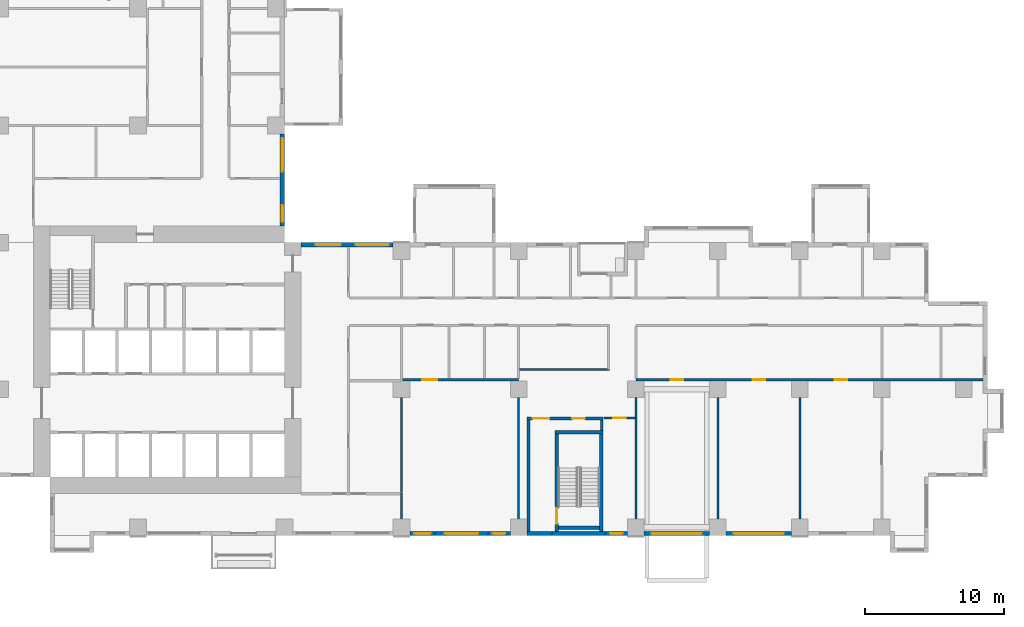
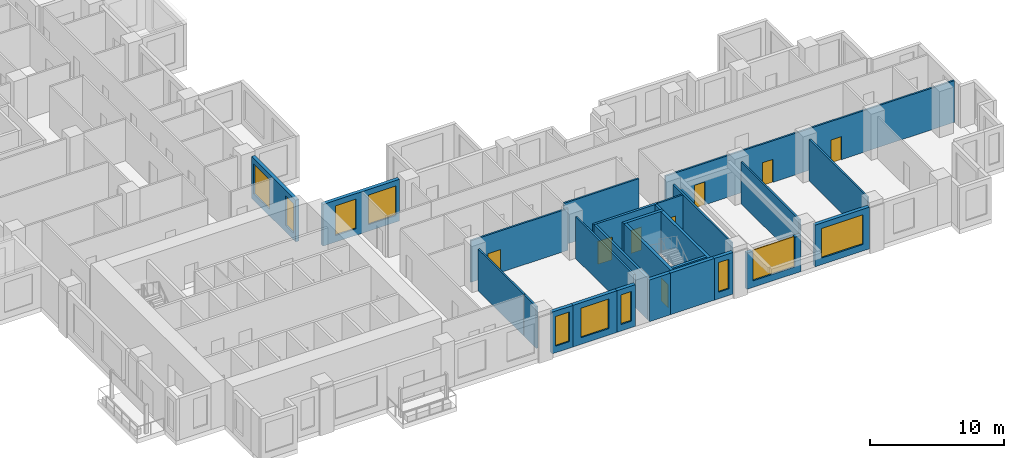
# One storey, part 4 of 14: 27 walls, 10 windows, 8 doors, 18 openings.
"""IFC4 building model written with IfcOpenShell, lengths in metres."""

import ifcopenshell
import ifcopenshell.guid

model = None  # the IFC model being written
_history = None  # IfcOwnerHistory: only IFC2X3 demands one
_inside = {}  # id of a spatial element -> (the spatial element, [elements in it])
_under = {}  # id of a project, library or spatial element -> (it, [spatial elements below it])
_declared = {}  # id of a project -> (the project, [libraries it declares])
_typed = {}  # id of a type object -> (the type object, [elements of that type])
_made_of = {}  # id of a material, layer set ... -> (it, [elements and type objects made of it])


def new_model(schema):
    """Start an empty IFC model of exactly this schema.

    Asked for "IFC4X3", IfcOpenShell would pick the latest addendum, in which some entities
    have other attributes; the version numbers below select the first issue.
    IFC2X3 requires an IfcOwnerHistory on every rooted entity: one is made here for all.
    """
    global model, _history
    if schema == "IFC4X3":
        model = ifcopenshell.file(schema_version=(4, 3, 0, 0))
    else:
        model = ifcopenshell.file(schema=schema)
    _inside.clear()
    _under.clear()
    _declared.clear()
    _typed.clear()
    _made_of.clear()
    _history = None
    if model.schema == "IFC2X3":
        org = make("IfcOrganization", Name="unknown")
        user = make(
            "IfcPersonAndOrganization",
            ThePerson=make("IfcPerson", FamilyName="unknown"),
            TheOrganization=org,
        )
        app = make(
            "IfcApplication",
            ApplicationDeveloper=org,
            Version="unknown",
            ApplicationFullName="unknown",
            ApplicationIdentifier="unknown",
        )
        _history = make(
            "IfcOwnerHistory",
            OwningUser=user,
            OwningApplication=app,
            ChangeAction="ADDED",
            CreationDate=0,
        )
    return model


def make(cls, **values):
    """One entity of the class cls with the attributes given. An attribute that is None is left unset."""
    return model.create_entity(
        cls, **{name: value for name, value in values.items() if value is not None}
    )


def rooted(cls, **values):
    """An entity with a GlobalId (a new one), such as an element, a storey or a relation."""
    return make(cls, GlobalId=ifcopenshell.guid.new(), OwnerHistory=_history, **values)


def si_unit(unit_type, name, prefix=None):
    """IfcSIUnit, for example si_unit("LENGTHUNIT", "METRE", prefix="MILLI")."""
    return make("IfcSIUnit", UnitType=unit_type, Prefix=prefix, Name=name)


def assignment(units):
    """IfcUnitAssignment: the units of a project."""
    return None if units is None else make("IfcUnitAssignment", Units=units)


def point(xyz):
    """IfcCartesianPoint."""
    return None if xyz is None else make("IfcCartesianPoint", Coordinates=xyz)


def direction(xyz):
    """IfcDirection."""
    return None if xyz is None else make("IfcDirection", DirectionRatios=xyz)


def frame(location, z_axis=None, x_axis=None):
    """IfcAxis2Placement3D, a coordinate frame: its origin and axes. An axis left out is left unset."""
    return make(
        "IfcAxis2Placement3D",
        Location=point(location),
        Axis=direction(z_axis),
        RefDirection=direction(x_axis),
    )


def frame_2d(location, x_axis=None):
    """IfcAxis2Placement2D, a coordinate frame in the plane: its origin and x axis."""
    return make(
        "IfcAxis2Placement2D", Location=point(location), RefDirection=direction(x_axis)
    )


def origin():
    """The frame at (0, 0, 0) with its axes left unset."""
    return frame((0.0, 0.0, 0.0))


def place(relative_to, where):
    """IfcLocalPlacement: puts the frame where relative to a parent placement (None: the world)."""
    return make(
        "IfcLocalPlacement", PlacementRelTo=relative_to, RelativePlacement=where
    )


def context(
    kind, dimensions, precision=None, world=None, true_north=None, identifier=None
):
    """IfcGeometricRepresentationContext, for example the 3D "Model" context."""
    return make(
        "IfcGeometricRepresentationContext",
        ContextIdentifier=identifier,
        ContextType=kind,
        CoordinateSpaceDimension=dimensions,
        Precision=precision,
        WorldCoordinateSystem=world,
        TrueNorth=true_north,
    )


def subcontext(parent, identifier, kind, view, scale=None):
    """IfcGeometricRepresentationSubContext, for example "Body" below "Model"."""
    return make(
        "IfcGeometricRepresentationSubContext",
        ContextIdentifier=identifier,
        ContextType=kind,
        ParentContext=parent,
        TargetScale=scale,
        TargetView=view,
    )


def project(units=None, contexts=None):
    """IfcProject with its units and contexts."""
    return rooted(
        "IfcProject",
        Name="project",
        RepresentationContexts=contexts,
        UnitsInContext=assignment(units),
    )


def spatial(cls, under=None, at=None, **own):
    """A site, building, storey or space (cls), placed at a placement, below another one or the project."""
    s = rooted(cls, ObjectPlacement=at, **own)
    if under is not None:
        _under.setdefault(under.id(), (under, []))[1].append(s)
    return s


def profile(cls, at=None, kind="AREA", **sizes):
    """A parametric profile (cls). Its sizes go by their IFC names, for example OverallWidth=200.0."""
    return make(cls, ProfileType=kind, Position=at, **sizes)


def rectangle(**sizes):
    """IfcRectangleProfileDef."""
    return profile("IfcRectangleProfileDef", **sizes)


def extrude(swept, where, along, depth):
    """IfcExtrudedAreaSolid: the profile swept, set in the frame where, extruded along a direction by depth."""
    return make(
        "IfcExtrudedAreaSolid",
        SweptArea=swept,
        Position=where,
        ExtrudedDirection=direction(along),
        Depth=depth,
    )


def shape(context_of_items, identifier, shape_type, items):
    """IfcShapeRepresentation: the items that make up one representation, for example the "Body"."""
    return make(
        "IfcShapeRepresentation",
        ContextOfItems=context_of_items,
        RepresentationIdentifier=identifier,
        RepresentationType=shape_type,
        Items=items,
    )


def source(mapping_origin, context_of_items, identifier, shape_type, items):
    """IfcRepresentationMap: a shape defined once, which mapped items show again and again."""
    return make(
        "IfcRepresentationMap",
        MappingOrigin=mapping_origin,
        MappedRepresentation=shape(context_of_items, identifier, shape_type, items),
    )


def transform(
    local_origin,
    x_axis=None,
    y_axis=None,
    z_axis=None,
    scale=None,
    scale2=None,
    scale3=None,
    uniform=True,
):
    """IfcCartesianTransformationOperator3D, or its non-uniform kind. x_axis, y_axis, z_axis: its Axis1, 2, 3."""
    if uniform:
        return make(
            "IfcCartesianTransformationOperator3D",
            Axis1=direction(x_axis),
            Axis2=direction(y_axis),
            LocalOrigin=point(local_origin),
            Scale=scale,
            Axis3=direction(z_axis),
        )
    return make(
        "IfcCartesianTransformationOperator3DnonUniform",
        Axis1=direction(x_axis),
        Axis2=direction(y_axis),
        LocalOrigin=point(local_origin),
        Scale=scale,
        Axis3=direction(z_axis),
        Scale2=scale2,
        Scale3=scale3,
    )


def mapped(mapping_source, mapping_target):
    """IfcMappedItem: shows the shape of a source again, moved by a transform."""
    return make(
        "IfcMappedItem", MappingSource=mapping_source, MappingTarget=mapping_target
    )


def material(Name=None, Category=None):
    """IfcMaterial."""
    return make("IfcMaterial", Name=Name, Category=Category)


def layer(
    of_material, thickness, ventilated=None, Name=None, Category=None, Priority=None
):
    """IfcMaterialLayer: one layer of a wall or slab, of a material (None: an air gap)."""
    return make(
        "IfcMaterialLayer",
        Material=of_material,
        LayerThickness=thickness,
        IsVentilated=ventilated,
        Name=Name,
        Category=Category,
        Priority=Priority,
    )


def layer_set(layers, Name=None):
    """IfcMaterialLayerSet."""
    return make("IfcMaterialLayerSet", MaterialLayers=layers, LayerSetName=Name)


def made_of(thing, what):
    """Note that an element or type object is made of a material, layer set ...; save() writes the relation."""
    if what is not None:
        _made_of.setdefault(what.id(), (what, []))[1].append(thing)
    return thing


def type_object(cls, material=None, **own):
    """A type object (cls), such as IfcWallType, which elements share."""
    return made_of(rooted(cls, **own), material)


def element(
    cls,
    number,
    at=None,
    inside=None,
    cuts=None,
    type_object=None,
    material=None,
    context=None,
    identifier="Body",
    shape_type=None,
    held_by="IfcProductDefinitionShape",
    body=None,
    shapes=None,
    **own,
):
    """One element of the class cls, such as IfcWall. Its Tag is "e" and its number.

    at: its placement. inside: the storey or other place that contains it. cuts: it is an
    opening in that element (IfcRelVoidsElement). A single representation is given by context,
    identifier, shape_type and body (its items); several are given by shapes. held_by: the class
    of the entity that holds the representations. save() writes the other relations.
    """
    e = rooted(cls, Tag="e%d" % number, ObjectPlacement=at, **own)
    if body is not None:
        shapes = [shape(context, identifier, shape_type, body)]
    if shapes is not None:
        e.Representation = make(held_by, Representations=shapes)
    if inside is not None:
        _inside.setdefault(inside.id(), (inside, []))[1].append(e)
    if cuts is not None:
        rooted(
            "IfcRelVoidsElement", RelatingBuildingElement=cuts, RelatedOpeningElement=e
        )
    if type_object is not None:
        _typed.setdefault(type_object.id(), (type_object, []))[1].append(e)
    return made_of(e, material)


def fill(opening, filler):
    """IfcRelFillsElement: the door or window that sits in an opening."""
    return rooted(
        "IfcRelFillsElement",
        RelatingOpeningElement=opening,
        RelatedBuildingElement=filler,
    )


def aggregate(whole, parts):
    """IfcRelAggregates: a whole, such as a stair, and the parts it consists of."""
    return rooted("IfcRelAggregates", RelatingObject=whole, RelatedObjects=parts)


def save(model, path):
    """Write the relations noted so far, then the file.

    IfcRelAggregates (storeys below a building ...), IfcRelContainedInSpatialStructure (elements
    in a storey), IfcRelDefinesByType, IfcRelAssociatesMaterial and IfcRelDeclares: one each for
    every whole, place, type object, material and project.
    """
    for whole, parts in _under.values():
        aggregate(whole, parts)
    for where, things in _inside.values():
        rooted(
            "IfcRelContainedInSpatialStructure",
            RelatedElements=things,
            RelatingStructure=where,
        )
    for kind, things in _typed.values():
        rooted("IfcRelDefinesByType", RelatedObjects=things, RelatingType=kind)
    for what, things in _made_of.values():
        rooted("IfcRelAssociatesMaterial", RelatedObjects=things, RelatingMaterial=what)
    for by, libraries in _declared.values():
        rooted("IfcRelDeclares", RelatingContext=by, RelatedDefinitions=libraries)
    model.write(path)


model = new_model("IFC4")

# Units and contexts
model_context = context("Model", 3, precision=1e-05, world=origin(), true_north=direction((0.0, 1.0)))
body_context = subcontext(model_context, "Body", "Model", "MODEL_VIEW")
ifc_project = project(units=[si_unit("LENGTHUNIT", "METRE"), si_unit("AREAUNIT", "SQUARE_METRE"), si_unit("VOLUMEUNIT", "CUBIC_METRE"), si_unit("PLANEANGLEUNIT", "RADIAN"), si_unit("MASSUNIT", "GRAM", prefix="KILO")], contexts=[model_context])

# Site, building, storey
site_placement = place(None, origin())
site = spatial("IfcSite", under=ifc_project, at=site_placement, CompositionType="ELEMENT")
building_placement = place(site_placement, origin())
building = spatial("IfcBuilding", under=site, at=building_placement, Name="Aurelian Terraces", CompositionType="ELEMENT")
storey_placement = place(building_placement, frame((0.0, 0.0, 90.9)))
storey = spatial("IfcBuildingStorey", under=building, at=storey_placement, Name="L19", CompositionType="ELEMENT", Elevation=90.9)

# Wall, opening, window
ifc_material_1 = material(Name="Terracotta rainscreen cladding", Category="masonry")
ifc_layer_1 = layer(ifc_material_1, 0.3)
ifc_layer_set_1 = layer_set([ifc_layer_1], Name="EW-300")
wall_type_1 = type_object("IfcWallType", Name="EW-300", PredefinedType="STANDARD", material=ifc_layer_set_1)
shared_shape_1 = source(origin(), body_context, "Body", "SweptSolid", [
    extrude(rectangle(XDim=4.68, YDim=0.3, at=frame_2d((2.34, 0.0))), origin(), (0.0, 0.0, 1.0), 3.8),
])
wall_1_placement = place(storey_placement, frame((52.68, 0.15, 0.0), z_axis=(0.0, 0.0, 1.0), x_axis=(1.0, 0.0, 0.0)))
wall_1 = element("IfcWall", 1, at=wall_1_placement, inside=storey, type_object=wall_type_1, Name="External wall L19 F01.9", PredefinedType="STANDARD", context=body_context, shape_type="MappedRepresentation", body=[
    mapped(shared_shape_1, transform((0.0, 0.0, 0.0), scale=1.0)),
])
shared_shape_2 = source(origin(), body_context, "Body", "SweptSolid", [
    extrude(rectangle(XDim=3.6, YDim=2.7, at=frame_2d((1.8, 1.35))), frame((0.0, 0.16, 0.0), z_axis=(0.0, -1.0, 0.0), x_axis=(1.0, 0.0, 0.0)), (0.0, 0.0, 1.0), 0.32),
])
opening_1_placement = place(wall_1_placement, frame((0.54, 0.0, 0.6)))
opening_1 = element("IfcOpeningElement", 2, at=opening_1_placement, cuts=wall_1, Name="Opening W3627", PredefinedType="OPENING", context=body_context, shape_type="MappedRepresentation", body=[
    mapped(shared_shape_2, transform((0.0, 0.0, 0.0), scale=1.0)),
])
ifc_material_2 = material(Name="Clear glazing", Category="glass")
window_type_1 = type_object("IfcWindowType", Name="W-3600x2700", PartitioningType="SINGLE_PANEL", PredefinedType="WINDOW", material=ifc_material_2)
shared_shape_3 = source(origin(), body_context, "Body", "SweptSolid", [
    extrude(rectangle(XDim=3.6, YDim=2.7, at=frame_2d((1.8, 1.35))), frame((0.0, 0.03, 0.0), z_axis=(0.0, -1.0, 0.0), x_axis=(1.0, 0.0, 0.0)), (0.0, 0.0, 1.0), 0.06),
])
window_1_placement = place(opening_1_placement, origin())
window_1 = element("IfcWindow", 3, at=window_1_placement, inside=storey, type_object=window_type_1, Name="Window L19 L19-F01-09-0", OverallHeight=2.7, OverallWidth=3.6, PartitioningType="SINGLE_PANEL", PredefinedType="WINDOW", context=body_context, shape_type="MappedRepresentation", body=[
    mapped(shared_shape_3, transform((0.0, 0.0, 0.0), scale=1.0)),
])
fill(opening_1, window_1)

shared_shape_4 = source(origin(), body_context, "Body", "SweptSolid", [
    extrude(rectangle(XDim=4.68, YDim=0.3, at=frame_2d((2.34, 0.0))), origin(), (0.0, 0.0, 1.0), 3.3),
])
wall_2_placement = place(storey_placement, frame((46.8, 0.15, 0.0), z_axis=(0.0, 0.0, 1.0), x_axis=(1.0, 0.0, 0.0)))
wall_2 = element("IfcWall", 4, at=wall_2_placement, inside=storey, type_object=wall_type_1, Name="External wall L19 F01.8", PredefinedType="STANDARD", context=body_context, shape_type="MappedRepresentation", body=[
    mapped(shared_shape_4, transform((0.0, 0.0, 0.0), scale=1.0)),
])
opening_2_placement = place(wall_2_placement, frame((0.54, 0.0, 0.6)))
opening_2 = element("IfcOpeningElement", 5, at=opening_2_placement, cuts=wall_2, Name="Opening W3627", PredefinedType="OPENING", context=body_context, shape_type="MappedRepresentation", body=[
    mapped(shared_shape_2, transform((0.0, 0.0, 0.0), scale=1.0)),
])
window_2_placement = place(opening_2_placement, origin())
window_2 = element("IfcWindow", 6, at=window_2_placement, inside=storey, type_object=window_type_1, Name="Window L19 L19-F01-08-0", OverallHeight=2.7, OverallWidth=3.6, PartitioningType="SINGLE_PANEL", PredefinedType="WINDOW", context=body_context, shape_type="MappedRepresentation", body=[
    mapped(shared_shape_3, transform((0.0, 0.0, 0.0), scale=1.0)),
])
fill(opening_2, window_2)

shared_shape_5 = source(origin(), body_context, "Body", "SweptSolid", [
    extrude(rectangle(XDim=1.6, YDim=0.3, at=frame_2d((0.8, 0.0))), origin(), (0.0, 0.0, 1.0), 3.8),
])
wall_3_placement = place(storey_placement, frame((35.6, 0.15, 0.0), z_axis=(0.0, 0.0, 1.0), x_axis=(1.0, 0.0, 0.0)))
wall_3 = element("IfcWall", 7, at=wall_3_placement, inside=storey, type_object=wall_type_1, Name="External wall L19 F01.6", PredefinedType="STANDARD", context=body_context, shape_type="MappedRepresentation", body=[
    mapped(shared_shape_5, transform((0.0, 0.0, 0.0), scale=1.0)),
])
shared_shape_6 = source(origin(), body_context, "Body", "SweptSolid", [
    extrude(rectangle(XDim=0.9, YDim=2.7, at=frame_2d((0.45, 1.35))), frame((0.0, 0.16, 0.0), z_axis=(0.0, -1.0, 0.0), x_axis=(1.0, 0.0, 0.0)), (0.0, 0.0, 1.0), 0.32),
])
opening_3_placement = place(wall_3_placement, frame((0.35, 0.0, 0.6)))
opening_3 = element("IfcOpeningElement", 8, at=opening_3_placement, cuts=wall_3, Name="Opening W0927", PredefinedType="OPENING", context=body_context, shape_type="MappedRepresentation", body=[
    mapped(shared_shape_6, transform((0.0, 0.0, 0.0), scale=1.0)),
])
window_type_2 = type_object("IfcWindowType", Name="W-900x2700", PartitioningType="SINGLE_PANEL", PredefinedType="WINDOW", material=ifc_material_2)
shared_shape_7 = source(origin(), body_context, "Body", "SweptSolid", [
    extrude(rectangle(XDim=0.9, YDim=2.7, at=frame_2d((0.45, 1.35))), frame((0.0, 0.03, 0.0), z_axis=(0.0, -1.0, 0.0), x_axis=(1.0, 0.0, 0.0)), (0.0, 0.0, 1.0), 0.06),
])
window_3_placement = place(opening_3_placement, origin())
window_3 = element("IfcWindow", 9, at=window_3_placement, inside=storey, type_object=window_type_2, Name="Window L19 L19-F01-06-P2", OverallHeight=2.7, OverallWidth=0.9, PartitioningType="SINGLE_PANEL", PredefinedType="WINDOW", context=body_context, shape_type="MappedRepresentation", body=[
    mapped(shared_shape_7, transform((0.0, 0.0, 0.0), scale=1.0)),
])
fill(opening_3, window_3)

wall_4_placement = place(storey_placement, frame((44.0, 0.15, 0.0), z_axis=(0.0, 0.0, 1.0), x_axis=(1.0, 0.0, 0.0)))
wall_4 = element("IfcWall", 10, at=wall_4_placement, inside=storey, type_object=wall_type_1, Name="External wall L19 F01.7", PredefinedType="STANDARD", context=body_context, shape_type="MappedRepresentation", body=[
    mapped(shared_shape_5, transform((0.0, 0.0, 0.0), scale=1.0)),
])
opening_4_placement = place(wall_4_placement, frame((0.35, 0.0, 0.6)))
opening_4 = element("IfcOpeningElement", 11, at=opening_4_placement, cuts=wall_4, Name="Opening W0927", PredefinedType="OPENING", context=body_context, shape_type="MappedRepresentation", body=[
    mapped(shared_shape_6, transform((0.0, 0.0, 0.0), scale=1.0)),
])
window_4_placement = place(opening_4_placement, origin())
window_4 = element("IfcWindow", 12, at=window_4_placement, inside=storey, type_object=window_type_2, Name="Window L19 L19-F01-07-P2", OverallHeight=2.7, OverallWidth=0.9, PartitioningType="SINGLE_PANEL", PredefinedType="WINDOW", context=body_context, shape_type="MappedRepresentation", body=[
    mapped(shared_shape_7, transform((0.0, 0.0, 0.0), scale=1.0)),
])
fill(opening_4, window_4)

ifc_material_3 = material(Name="Concrete fc' 40 MPa", Category="concrete")
ifc_layer_2 = layer(ifc_material_3, 0.3)
ifc_layer_set_2 = layer_set([ifc_layer_2], Name="STAIR BAY WALL 300")
wall_type_2 = type_object("IfcWallType", Name="STAIR BAY WALL 300", PredefinedType="SOLIDWALL", material=ifc_layer_set_2)
shared_shape_8 = source(origin(), body_context, "Body", "SweptSolid", [
    extrude(rectangle(XDim=3.8, YDim=0.3, at=frame_2d((1.9, 0.0))), origin(), (0.0, 0.0, 1.0), 3.8),
])
wall_5_placement = place(storey_placement, frame((31.8, 0.15, 0.0), z_axis=(0.0, 0.0, 1.0), x_axis=(1.0, 0.0, 0.0)))
wall_5 = element("IfcWall", 13, at=wall_5_placement, inside=storey, type_object=wall_type_2, Name="Bearing wall L19 F01.6", PredefinedType="SOLIDWALL", context=body_context, shape_type="MappedRepresentation", body=[
    mapped(shared_shape_8, transform((0.0, 0.0, 0.0), scale=1.0)),
])
shared_shape_9 = source(origin(), body_context, "Body", "SweptSolid", [
    extrude(rectangle(XDim=2.4, YDim=2.7, at=frame_2d((1.2, 1.35))), frame((0.0, 0.16, 0.0), z_axis=(0.0, -1.0, 0.0), x_axis=(1.0, 0.0, 0.0)), (0.0, 0.0, 1.0), 0.32),
])
opening_5_placement = place(wall_5_placement, frame((0.7, 0.0, 0.6)))
opening_5 = element("IfcOpeningElement", 14, at=opening_5_placement, cuts=wall_5, Name="Opening W2427", PredefinedType="OPENING", context=body_context, shape_type="MappedRepresentation", body=[
    mapped(shared_shape_9, transform((0.0, 0.0, 0.0), scale=1.0)),
])
window_type_3 = type_object("IfcWindowType", Name="W-2400x2700", PartitioningType="SINGLE_PANEL", PredefinedType="WINDOW", material=ifc_material_2)
shared_shape_10 = source(origin(), body_context, "Body", "SweptSolid", [
    extrude(rectangle(XDim=2.4, YDim=2.7, at=frame_2d((1.2, 1.35))), frame((0.0, 0.03, 0.0), z_axis=(0.0, -1.0, 0.0), x_axis=(1.0, 0.0, 0.0)), (0.0, 0.0, 1.0), 0.06),
])
window_5_placement = place(opening_5_placement, origin())
window_5 = element("IfcWindow", 15, at=window_5_placement, inside=storey, type_object=window_type_3, Name="Window L19 L19-F01-06-P1", OverallHeight=2.7, OverallWidth=2.4, PartitioningType="SINGLE_PANEL", PredefinedType="WINDOW", context=body_context, shape_type="MappedRepresentation", body=[
    mapped(shared_shape_10, transform((0.0, 0.0, 0.0), scale=1.0)),
])
fill(opening_5, window_5)

# Wall
wall_6_placement = place(storey_placement, frame((40.2, 0.15, 0.0), z_axis=(0.0, 0.0, 1.0), x_axis=(1.0, 0.0, 0.0)))
element("IfcWall", 16, at=wall_6_placement, inside=storey, type_object=wall_type_2, Name="Stair bay wall L19 F01.7", PredefinedType="SOLIDWALL", context=body_context, shape_type="MappedRepresentation", body=[
    mapped(shared_shape_8, transform((0.0, 0.0, 0.0), scale=1.0)),
])

# Wall, opening, window
shared_shape_11 = source(origin(), body_context, "Body", "SweptSolid", [
    extrude(rectangle(XDim=1.8, YDim=0.3, at=frame_2d((0.9, 0.0))), origin(), (0.0, 0.0, 1.0), 3.8),
])
wall_7_placement = place(storey_placement, frame((30.0, 0.15, 0.0), z_axis=(0.0, 0.0, 1.0), x_axis=(1.0, 0.0, 0.0)))
wall_7 = element("IfcWall", 17, at=wall_7_placement, inside=storey, type_object=wall_type_1, Name="External wall L19 F01.6", PredefinedType="STANDARD", context=body_context, shape_type="MappedRepresentation", body=[
    mapped(shared_shape_11, transform((0.0, 0.0, 0.0), scale=1.0)),
])
shared_shape_12 = source(origin(), body_context, "Body", "SweptSolid", [
    extrude(rectangle(XDim=1.2, YDim=2.7, at=frame_2d((0.6, 1.35))), frame((0.0, 0.16, 0.0), z_axis=(0.0, -1.0, 0.0), x_axis=(1.0, 0.0, 0.0)), (0.0, 0.0, 1.0), 0.32),
])
opening_6_placement = place(wall_7_placement, frame((0.3, 0.0, 0.6)))
opening_6 = element("IfcOpeningElement", 18, at=opening_6_placement, cuts=wall_7, Name="Opening W1227", PredefinedType="OPENING", context=body_context, shape_type="MappedRepresentation", body=[
    mapped(shared_shape_12, transform((0.0, 0.0, 0.0), scale=1.0)),
])
window_type_4 = type_object("IfcWindowType", Name="W-1200x2700", PartitioningType="SINGLE_PANEL", PredefinedType="WINDOW", material=ifc_material_2)
shared_shape_13 = source(origin(), body_context, "Body", "SweptSolid", [
    extrude(rectangle(XDim=1.2, YDim=2.7, at=frame_2d((0.6, 1.35))), frame((0.0, 0.03, 0.0), z_axis=(0.0, -1.0, 0.0), x_axis=(1.0, 0.0, 0.0)), (0.0, 0.0, 1.0), 0.06),
])
window_6_placement = place(opening_6_placement, origin())
window_6 = element("IfcWindow", 19, at=window_6_placement, inside=storey, type_object=window_type_4, Name="Window L19 L19-F01-06-P0", OverallHeight=2.7, OverallWidth=1.2, PartitioningType="SINGLE_PANEL", PredefinedType="WINDOW", context=body_context, shape_type="MappedRepresentation", body=[
    mapped(shared_shape_13, transform((0.0, 0.0, 0.0), scale=1.0)),
])
fill(opening_6, window_6)

# Wall
wall_8_placement = place(storey_placement, frame((38.4, 0.15, 0.0), z_axis=(0.0, 0.0, 1.0), x_axis=(1.0, 0.0, 0.0)))
element("IfcWall", 20, at=wall_8_placement, inside=storey, type_object=wall_type_1, Name="External wall L19 F01.7", PredefinedType="STANDARD", context=body_context, shape_type="MappedRepresentation", body=[
    mapped(shared_shape_11, transform((0.0, 0.0, 0.0), scale=1.0)),
])

# Wall, openings, windows
shared_shape_14 = source(origin(), body_context, "Body", "SweptSolid", [
    extrude(rectangle(XDim=6.6, YDim=0.3, at=frame_2d((3.3, 0.0))), origin(), (0.0, 0.0, 1.0), 3.8),
])
wall_9_placement = place(storey_placement, frame((28.8, 20.85, 0.0), z_axis=(0.0, 0.0, 1.0), x_axis=(-1.0, 0.0, 0.0)))
wall_9 = element("IfcWall", 21, at=wall_9_placement, inside=storey, type_object=wall_type_1, Name="External wall L19 F07.23", PredefinedType="STANDARD", context=body_context, shape_type="MappedRepresentation", body=[
    mapped(shared_shape_14, transform((0.0, 0.0, 0.0), scale=1.0)),
])
opening_7_placement = place(wall_9_placement, frame((0.3, 0.0, 0.6)))
opening_7 = element("IfcOpeningElement", 22, at=opening_7_placement, cuts=wall_9, Name="Opening W2427", PredefinedType="OPENING", context=body_context, shape_type="MappedRepresentation", body=[
    mapped(shared_shape_9, transform((0.0, 0.0, 0.0), scale=1.0)),
])
shared_shape_15 = source(origin(), body_context, "Body", "SweptSolid", [
    extrude(rectangle(XDim=1.8, YDim=2.7, at=frame_2d((0.9, 1.35))), frame((0.0, 0.16, 0.0), z_axis=(0.0, -1.0, 0.0), x_axis=(1.0, 0.0, 0.0)), (0.0, 0.0, 1.0), 0.32),
])
opening_8_placement = place(wall_9_placement, frame((3.75, 0.0, 0.6)))
opening_8 = element("IfcOpeningElement", 23, at=opening_8_placement, cuts=wall_9, Name="Opening W1827", PredefinedType="OPENING", context=body_context, shape_type="MappedRepresentation", body=[
    mapped(shared_shape_15, transform((0.0, 0.0, 0.0), scale=1.0)),
])
window_7_placement = place(opening_7_placement, origin())
window_7 = element("IfcWindow", 24, at=window_7_placement, inside=storey, type_object=window_type_3, Name="Window L19 L19-F07-23-2", OverallHeight=2.7, OverallWidth=2.4, PartitioningType="SINGLE_PANEL", PredefinedType="WINDOW", context=body_context, shape_type="MappedRepresentation", body=[
    mapped(shared_shape_10, transform((0.0, 0.0, 0.0), scale=1.0)),
])
fill(opening_7, window_7)
window_type_5 = type_object("IfcWindowType", Name="W-1800x2700", PartitioningType="SINGLE_PANEL", PredefinedType="WINDOW", material=ifc_material_2)
shared_shape_16 = source(origin(), body_context, "Body", "SweptSolid", [
    extrude(rectangle(XDim=1.8, YDim=2.7, at=frame_2d((0.9, 1.35))), frame((0.0, 0.03, 0.0), z_axis=(0.0, -1.0, 0.0), x_axis=(1.0, 0.0, 0.0)), (0.0, 0.0, 1.0), 0.06),
])
window_8_placement = place(opening_8_placement, origin())
window_8 = element("IfcWindow", 25, at=window_8_placement, inside=storey, type_object=window_type_5, Name="Window L19 L19-F07-23-G2-159", OverallHeight=2.7, OverallWidth=1.8, PartitioningType="SINGLE_PANEL", PredefinedType="WINDOW", context=body_context, shape_type="MappedRepresentation", body=[
    mapped(shared_shape_16, transform((0.0, 0.0, 0.0), scale=1.0)),
])
fill(opening_8, window_8)

wall_10_placement = place(storey_placement, frame((20.85, 22.2, 0.0), z_axis=(0.0, 0.0, 1.0), x_axis=(0.0, 1.0, 0.0)))
wall_10 = element("IfcWall", 26, at=wall_10_placement, inside=storey, type_object=wall_type_1, Name="External wall L19 F08.24", PredefinedType="STANDARD", context=body_context, shape_type="MappedRepresentation", body=[
    mapped(shared_shape_14, transform((0.0, 0.0, 0.0), scale=1.0)),
])
opening_9_placement = place(wall_10_placement, frame((0.3, 0.0, 0.6)))
opening_9 = element("IfcOpeningElement", 27, at=opening_9_placement, cuts=wall_10, Name="Opening W1227", PredefinedType="OPENING", context=body_context, shape_type="MappedRepresentation", body=[
    mapped(shared_shape_12, transform((0.0, 0.0, 0.0), scale=1.0)),
])
opening_10_placement = place(wall_10_placement, frame((3.9, 0.0, 0.6)))
opening_10 = element("IfcOpeningElement", 28, at=opening_10_placement, cuts=wall_10, Name="Opening W2427", PredefinedType="OPENING", context=body_context, shape_type="MappedRepresentation", body=[
    mapped(shared_shape_9, transform((0.0, 0.0, 0.0), scale=1.0)),
])
window_9_placement = place(opening_10_placement, origin())
window_9 = element("IfcWindow", 29, at=window_9_placement, inside=storey, type_object=window_type_3, Name="Window L19 L19-F08-24-1", OverallHeight=2.7, OverallWidth=2.4, PartitioningType="SINGLE_PANEL", PredefinedType="WINDOW", context=body_context, shape_type="MappedRepresentation", body=[
    mapped(shared_shape_10, transform((0.0, 0.0, 0.0), scale=1.0)),
])
fill(opening_10, window_9)
window_10_placement = place(opening_9_placement, origin())
window_10 = element("IfcWindow", 30, at=window_10_placement, inside=storey, type_object=window_type_4, Name="Window L19 L19-F08-24-0", OverallHeight=2.7, OverallWidth=1.2, PartitioningType="SINGLE_PANEL", PredefinedType="WINDOW", context=body_context, shape_type="MappedRepresentation", body=[
    mapped(shared_shape_13, transform((0.0, 0.0, 0.0), scale=1.0)),
])
fill(opening_9, window_10)

# Wall, opening, door
ifc_layer_3 = layer(ifc_material_3, 0.25)
ifc_layer_set_3 = layer_set([ifc_layer_3], Name="Stair enclosure wall 250")
wall_type_3 = type_object("IfcWallType", Name="Stair enclosure wall 250", PredefinedType="SOLIDWALL", material=ifc_layer_set_3)
shared_shape_17 = source(origin(), body_context, "Body", "SweptSolid", [
    extrude(rectangle(XDim=7.0, YDim=0.25, at=frame_2d((3.5, 0.0))), origin(), (0.0, 0.0, 1.0), 3.8),
])
wall_11_placement = place(storey_placement, frame((40.525, 0.3, 0.0), z_axis=(0.0, 0.0, 1.0), x_axis=(0.0, 1.0, 0.0)))
wall_11 = element("IfcWall", 31, at=wall_11_placement, inside=storey, type_object=wall_type_3, Name="L19 core wall ST-S2-W", PredefinedType="SOLIDWALL", context=body_context, shape_type="MappedRepresentation", body=[
    mapped(shared_shape_17, transform((0.0, 0.0, 0.0), scale=1.0)),
])
shared_shape_18 = source(origin(), body_context, "Body", "SweptSolid", [
    extrude(rectangle(XDim=1.1, YDim=2.1, at=frame_2d((0.55, 1.05))), frame((0.0, 0.135, 0.0), z_axis=(0.0, -1.0, 0.0), x_axis=(1.0, 0.0, 0.0)), (0.0, 0.0, 1.0), 0.27),
])
opening_11_placement = place(wall_11_placement, frame((0.55, 0.0, 0.0)))
opening_11 = element("IfcOpeningElement", 32, at=opening_11_placement, cuts=wall_11, Name="Opening 62215", PredefinedType="OPENING", context=body_context, shape_type="MappedRepresentation", body=[
    mapped(shared_shape_18, transform((0.0, 0.0, 0.0), scale=1.0)),
])
ifc_material_4 = material(Name="Steel door leaf", Category="steel")
door_type_1 = type_object("IfcDoorType", Name="Core fire door 1100x2100 right", OperationType="SINGLE_SWING_RIGHT", PredefinedType="DOOR", material=ifc_material_4)
shared_shape_19 = source(origin(), body_context, "Body", "SweptSolid", [
    extrude(rectangle(XDim=1.1, YDim=2.1, at=frame_2d((0.55, 1.05))), frame((0.0, 0.025, 0.0), z_axis=(0.0, -1.0, 0.0), x_axis=(1.0, 0.0, 0.0)), (0.0, 0.0, 1.0), 0.05),
])
door_1_placement = place(opening_11_placement, origin())
door_1 = element("IfcDoor", 33, at=door_1_placement, inside=storey, type_object=door_type_1, Name="Stair door 62215", OperationType="SINGLE_SWING_RIGHT", OverallHeight=2.1, OverallWidth=1.1, PredefinedType="DOOR", context=body_context, shape_type="MappedRepresentation", body=[
    mapped(shared_shape_19, transform((0.0, 0.0, 0.0), scale=1.0)),
])
fill(opening_11, door_1)

# Walls
wall_12_placement = place(storey_placement, frame((43.725, 0.3, 0.0), z_axis=(0.0, 0.0, 1.0), x_axis=(0.0, 1.0, 0.0)))
element("IfcWall", 34, at=wall_12_placement, inside=storey, type_object=wall_type_3, Name="L19 core wall ST-S2-E", PredefinedType="SOLIDWALL", context=body_context, shape_type="MappedRepresentation", body=[
    mapped(shared_shape_17, transform((0.0, 0.0, 0.0), scale=1.0)),
])
shared_shape_20 = source(origin(), body_context, "Body", "SweptSolid", [
    extrude(rectangle(XDim=3.45, YDim=0.25, at=frame_2d((1.725, 0.0))), origin(), (0.0, 0.0, 1.0), 3.8),
])
wall_13_placement = place(storey_placement, frame((40.4, 7.425, 0.0), z_axis=(0.0, 0.0, 1.0), x_axis=(1.0, 0.0, 0.0)))
element("IfcWall", 35, at=wall_13_placement, inside=storey, type_object=wall_type_3, Name="L19 core wall ST-S2-N", PredefinedType="SOLIDWALL", context=body_context, shape_type="MappedRepresentation", body=[
    mapped(shared_shape_20, transform((0.0, 0.0, 0.0), scale=1.0)),
])
shared_shape_21 = source(origin(), body_context, "Body", "SweptSolid", [
    extrude(rectangle(XDim=2.95, YDim=0.25, at=frame_2d((1.475, 0.0))), origin(), (0.0, 0.0, 1.0), 3.8),
])
wall_14_placement = place(storey_placement, frame((40.65, 0.575, 0.0), z_axis=(0.0, 0.0, 1.0), x_axis=(1.0, 0.0, 0.0)))
element("IfcWall", 36, at=wall_14_placement, inside=storey, type_object=wall_type_3, Name="L19 core wall ST-S2-SS", PredefinedType="SOLIDWALL", context=body_context, shape_type="MappedRepresentation", body=[
    mapped(shared_shape_21, transform((0.0, 0.0, 0.0), scale=1.0)),
])
ifc_material_5 = material(Name="Gypsum board on steel studs", Category="steel")
ifc_layer_4 = layer(ifc_material_5, 0.2)
ifc_layer_set_4 = layer_set([ifc_layer_4], Name="Core partition 200")
wall_type_4 = type_object("IfcWallType", Name="Core partition 200", PredefinedType="PARTITIONING", material=ifc_layer_set_4)
shared_shape_22 = source(origin(), body_context, "Body", "SweptSolid", [
    extrude(rectangle(XDim=8.0, YDim=0.2, at=frame_2d((4.0, 0.0))), origin(), (0.0, 0.0, 1.0), 3.8),
])
wall_15_placement = place(storey_placement, frame((38.5, 0.3, 0.0), z_axis=(0.0, 0.0, 1.0), x_axis=(0.0, 1.0, 0.0)))
element("IfcWall", 37, at=wall_15_placement, inside=storey, type_object=wall_type_4, Name="L19 core wall ST-S2-VW", PredefinedType="PARTITIONING", context=body_context, shape_type="MappedRepresentation", body=[
    mapped(shared_shape_22, transform((0.0, 0.0, 0.0), scale=1.0)),
])

# Wall, openings, doors
shared_shape_23 = source(origin(), body_context, "Body", "SweptSolid", [
    extrude(rectangle(XDim=5.45, YDim=0.2, at=frame_2d((2.725, 0.0))), origin(), (0.0, 0.0, 1.0), 3.8),
])
wall_16_placement = place(storey_placement, frame((38.4, 8.4, 0.0), z_axis=(0.0, 0.0, 1.0), x_axis=(1.0, 0.0, 0.0)))
wall_16 = element("IfcWall", 38, at=wall_16_placement, inside=storey, type_object=wall_type_4, Name="L19 core wall ST-S2-BN", PredefinedType="PARTITIONING", context=body_context, shape_type="MappedRepresentation", body=[
    mapped(shared_shape_23, transform((0.0, 0.0, 0.0), scale=1.0)),
])
shared_shape_24 = source(origin(), body_context, "Body", "SweptSolid", [
    extrude(rectangle(XDim=1.2, YDim=2.1, at=frame_2d((0.6, 1.05))), frame((0.0, 0.11, 0.0), z_axis=(0.0, -1.0, 0.0), x_axis=(1.0, 0.0, 0.0)), (0.0, 0.0, 1.0), 0.22),
])
opening_12_placement = place(wall_16_placement, frame((0.4, 0.0, 0.0)))
opening_12 = element("IfcOpeningElement", 39, at=opening_12_placement, cuts=wall_16, Name="Opening 62216", PredefinedType="OPENING", context=body_context, shape_type="MappedRepresentation", body=[
    mapped(shared_shape_24, transform((0.0, 0.0, 0.0), scale=1.0)),
])
shared_shape_25 = source(origin(), body_context, "Body", "SweptSolid", [
    extrude(rectangle(XDim=0.9, YDim=2.1, at=frame_2d((0.45, 1.05))), frame((0.0, 0.11, 0.0), z_axis=(0.0, -1.0, 0.0), x_axis=(1.0, 0.0, 0.0)), (0.0, 0.0, 1.0), 0.22),
])
opening_13_placement = place(wall_16_placement, frame((3.25, 0.0, 0.0)))
opening_13 = element("IfcOpeningElement", 40, at=opening_13_placement, cuts=wall_16, Name="Opening 62217", PredefinedType="OPENING", context=body_context, shape_type="MappedRepresentation", body=[
    mapped(shared_shape_25, transform((0.0, 0.0, 0.0), scale=1.0)),
])
door_type_2 = type_object("IfcDoorType", Name="Core riser door 900x2100 right", OperationType="SINGLE_SWING_RIGHT", PredefinedType="DOOR", material=ifc_material_4)
shared_shape_26 = source(origin(), body_context, "Body", "SweptSolid", [
    extrude(rectangle(XDim=0.9, YDim=2.1, at=frame_2d((0.45, 1.05))), frame((0.0, 0.025, 0.0), z_axis=(0.0, -1.0, 0.0), x_axis=(1.0, 0.0, 0.0)), (0.0, 0.0, 1.0), 0.05),
])
door_2_placement = place(opening_13_placement, origin())
door_2 = element("IfcDoor", 41, at=door_2_placement, inside=storey, type_object=door_type_2, Name="Riser door 62217", OperationType="SINGLE_SWING_RIGHT", OverallHeight=2.1, OverallWidth=0.9, PredefinedType="DOOR", context=body_context, shape_type="MappedRepresentation", body=[
    mapped(shared_shape_26, transform((0.0, 0.0, 0.0), scale=1.0)),
])
fill(opening_13, door_2)
door_type_3 = type_object("IfcDoorType", Name="Core fire door 1200x2100", OperationType="SINGLE_SWING_LEFT", PredefinedType="DOOR", material=ifc_material_4)
shared_shape_27 = source(origin(), body_context, "Body", "SweptSolid", [
    extrude(rectangle(XDim=1.2, YDim=2.1, at=frame_2d((0.6, 1.05))), frame((0.0, 0.025, 0.0), z_axis=(0.0, -1.0, 0.0), x_axis=(1.0, 0.0, 0.0)), (0.0, 0.0, 1.0), 0.05),
])
door_3_placement = place(opening_12_placement, origin())
door_3 = element("IfcDoor", 42, at=door_3_placement, inside=storey, type_object=door_type_3, Name="Vestibule door 62216", OperationType="SINGLE_SWING_LEFT", OverallHeight=2.1, OverallWidth=1.2, PredefinedType="DOOR", context=body_context, shape_type="MappedRepresentation", body=[
    mapped(shared_shape_27, transform((0.0, 0.0, 0.0), scale=1.0)),
])
fill(opening_12, door_3)

# Walls
shared_shape_28 = source(origin(), body_context, "Body", "SweptSolid", [
    extrude(rectangle(XDim=0.75, YDim=0.2, at=frame_2d((0.375, 0.0))), origin(), (0.0, 0.0, 1.0), 3.8),
])
wall_17_placement = place(storey_placement, frame((43.75, 7.55, 0.0), z_axis=(0.0, 0.0, 1.0), x_axis=(0.0, 1.0, 0.0)))
element("IfcWall", 43, at=wall_17_placement, inside=storey, type_object=wall_type_4, Name="L19 core wall ST-S2-RE", PredefinedType="PARTITIONING", context=body_context, shape_type="MappedRepresentation", body=[
    mapped(shared_shape_28, transform((0.0, 0.0, 0.0), scale=1.0)),
])
ifc_layer_5 = layer(ifc_material_5, 0.15)
ifc_layer_set_5 = layer_set([ifc_layer_5], Name="Partition 150")
wall_type_5 = type_object("IfcWallType", Name="Partition 150", PredefinedType="PARTITIONING", material=ifc_layer_set_5)
shared_shape_29 = source(origin(), body_context, "Body", "SweptSolid", [
    extrude(rectangle(XDim=6.45, YDim=0.15, at=frame_2d((3.225, 0.0))), origin(), (0.0, 0.0, 1.0), 3.8),
])
wall_18_placement = place(storey_placement, frame((37.875, 11.9, 0.0), z_axis=(0.0, 0.0, 1.0), x_axis=(1.0, 0.0, 0.0)))
element("IfcWall", 44, at=wall_18_placement, inside=storey, type_object=wall_type_5, Name="Partition", PredefinedType="PARTITIONING", context=body_context, shape_type="MappedRepresentation", body=[
    mapped(shared_shape_29, transform((0.0, 0.0, 0.0), scale=1.0)),
])
shared_shape_30 = source(origin(), body_context, "Body", "SweptSolid", [
    extrude(rectangle(XDim=8.702, YDim=0.15, at=frame_2d((4.351, 0.0))), origin(), (0.0, 0.0, 1.0), 3.8),
])
for number, where, z_axis, x_axis, name in (
    (45, (37.8, 1.199, 0.0), (0.0, 0.0, 1.0), (0.0, 1.0, 0.0), "Partition"),
    (46, (52.08, 1.199, 0.0), (0.0, 0.0, 1.0), (0.0, 1.0, 0.0), "Partition"),
    (47, (57.96, 1.199, 0.0), (0.0, 0.0, 1.0), (0.0, 1.0, 0.0), "Partition"),
    (48, (46.2, 1.199, 0.0), (0.0, 0.0, 1.0), (0.0, 1.0, 0.0), "Partition"),
):
    element("IfcWall", number, at=place(storey_placement, frame(where, z_axis=z_axis, x_axis=x_axis)), inside=storey, type_object=wall_type_5, Name=name, PredefinedType="PARTITIONING", context=body_context, shape_type="MappedRepresentation", body=[
        mapped(shared_shape_30, transform((0.0, 0.0, 0.0), scale=1.0)),
    ])

# Wall, opening, door
shared_shape_31 = source(origin(), body_context, "Body", "SweptSolid", [
    extrude(rectangle(XDim=8.4, YDim=0.15, at=frame_2d((4.2, 0.0))), origin(), (0.0, 0.0, 1.0), 3.8),
])
wall_19_placement = place(storey_placement, frame((37.8, 11.175, 0.0), z_axis=(0.0, 0.0, 1.0), x_axis=(-1.0, 0.0, 0.0)))
wall_19 = element("IfcWall", 49, at=wall_19_placement, inside=storey, type_object=wall_type_5, Name="Partition", PredefinedType="PARTITIONING", context=body_context, shape_type="MappedRepresentation", body=[
    mapped(shared_shape_31, transform((0.0, 0.0, 0.0), scale=1.0)),
])
shared_shape_32 = source(origin(), body_context, "Body", "SweptSolid", [
    extrude(rectangle(XDim=1.1, YDim=2.1, at=frame_2d((0.55, 1.05))), frame((0.0, 0.085, 0.0), z_axis=(0.0, -1.0, 0.0), x_axis=(1.0, 0.0, 0.0)), (0.0, 0.0, 1.0), 0.17),
])
opening_14_placement = place(wall_19_placement, frame((5.8331, 0.0, 0.0)))
opening_14 = element("IfcOpeningElement", 50, at=opening_14_placement, cuts=wall_19, Name="Opening 719008", PredefinedType="OPENING", context=body_context, shape_type="MappedRepresentation", body=[
    mapped(shared_shape_32, transform((0.0, 0.0, 0.0), scale=1.0)),
])
ifc_material_6 = material(Name="Timber door leaf", Category="wood")
door_type_4 = type_object("IfcDoorType", Name="Room door 1100x2100 right", OperationType="SINGLE_SWING_RIGHT", PredefinedType="DOOR", material=ifc_material_6)
door_4_placement = place(opening_14_placement, origin())
door_4 = element("IfcDoor", 51, at=door_4_placement, inside=storey, type_object=door_type_4, Name="Door 719008", OperationType="SINGLE_SWING_RIGHT", OverallHeight=2.1, OverallWidth=1.1, PredefinedType="DOOR", context=body_context, shape_type="MappedRepresentation", body=[
    mapped(shared_shape_19, transform((0.0, 0.0, 0.0), scale=1.0)),
])
fill(opening_14, door_4)

# Wall, openings, doors
shared_shape_33 = source(origin(), body_context, "Body", "SweptSolid", [
    extrude(rectangle(XDim=24.9, YDim=0.15, at=frame_2d((12.45, 0.0))), origin(), (0.0, 0.0, 1.0), 3.8),
])
wall_20_placement = place(storey_placement, frame((71.1, 11.175, 0.0), z_axis=(0.0, 0.0, 1.0), x_axis=(-1.0, 0.0, 0.0)))
wall_20 = element("IfcWall", 52, at=wall_20_placement, inside=storey, type_object=wall_type_5, Name="Partition", PredefinedType="PARTITIONING", context=body_context, shape_type="MappedRepresentation", body=[
    mapped(shared_shape_33, transform((0.0, 0.0, 0.0), scale=1.0)),
])
shared_shape_34 = source(origin(), body_context, "Body", "SweptSolid", [
    extrude(rectangle(XDim=0.9, YDim=2.1, at=frame_2d((0.45, 1.05))), frame((0.0, 0.085, 0.0), z_axis=(0.0, -1.0, 0.0), x_axis=(1.0, 0.0, 0.0)), (0.0, 0.0, 1.0), 0.17),
])
opening_15_placement = place(wall_20_placement, frame((21.5125, 0.0, 0.0)))
opening_15 = element("IfcOpeningElement", 53, at=opening_15_placement, cuts=wall_20, Name="Opening 719012", PredefinedType="OPENING", context=body_context, shape_type="MappedRepresentation", body=[
    mapped(shared_shape_34, transform((0.0, 0.0, 0.0), scale=1.0)),
])
opening_16_placement = place(wall_20_placement, frame((15.6325, 0.0, 0.0)))
opening_16 = element("IfcOpeningElement", 54, at=opening_16_placement, cuts=wall_20, Name="Opening 719013", PredefinedType="OPENING", context=body_context, shape_type="MappedRepresentation", body=[
    mapped(shared_shape_34, transform((0.0, 0.0, 0.0), scale=1.0)),
])
opening_17_placement = place(wall_20_placement, frame((9.7525, 0.0, 0.0)))
opening_17 = element("IfcOpeningElement", 55, at=opening_17_placement, cuts=wall_20, Name="Opening 719014", PredefinedType="OPENING", context=body_context, shape_type="MappedRepresentation", body=[
    mapped(shared_shape_34, transform((0.0, 0.0, 0.0), scale=1.0)),
])
door_type_5 = type_object("IfcDoorType", Name="Room door 900x2100 right", OperationType="SINGLE_SWING_RIGHT", PredefinedType="DOOR", material=ifc_material_6)
door_5_placement = place(opening_15_placement, origin())
door_5 = element("IfcDoor", 56, at=door_5_placement, inside=storey, type_object=door_type_5, Name="Door 719012", OperationType="SINGLE_SWING_RIGHT", OverallHeight=2.1, OverallWidth=0.9, PredefinedType="DOOR", context=body_context, shape_type="MappedRepresentation", body=[
    mapped(shared_shape_26, transform((0.0, 0.0, 0.0), scale=1.0)),
])
fill(opening_15, door_5)
door_type_6 = type_object("IfcDoorType", Name="Room door 900x2100 left", OperationType="SINGLE_SWING_LEFT", PredefinedType="DOOR", material=ifc_material_6)
door_6_placement = place(opening_16_placement, origin())
door_6 = element("IfcDoor", 57, at=door_6_placement, inside=storey, type_object=door_type_6, Name="Door 719013", OperationType="SINGLE_SWING_LEFT", OverallHeight=2.1, OverallWidth=0.9, PredefinedType="DOOR", context=body_context, shape_type="MappedRepresentation", body=[
    mapped(shared_shape_26, transform((0.0, 0.0, 0.0), scale=1.0)),
])
fill(opening_16, door_6)
door_7_placement = place(opening_17_placement, origin())
door_7 = element("IfcDoor", 58, at=door_7_placement, inside=storey, type_object=door_type_5, Name="Door 719014", OperationType="SINGLE_SWING_RIGHT", OverallHeight=2.1, OverallWidth=0.9, PredefinedType="DOOR", context=body_context, shape_type="MappedRepresentation", body=[
    mapped(shared_shape_26, transform((0.0, 0.0, 0.0), scale=1.0)),
])
fill(opening_17, door_7)

# Wall
shared_shape_35 = source(origin(), body_context, "Body", "SweptSolid", [
    extrude(rectangle(XDim=6.826, YDim=0.15, at=frame_2d((3.413, 0.0))), origin(), (0.0, 0.0, 1.0), 3.8),
])
wall_21_placement = place(storey_placement, frame((29.4, 3.075, 0.0), z_axis=(0.0, 0.0, 1.0), x_axis=(0.0, 1.0, 0.0)))
element("IfcWall", 59, at=wall_21_placement, inside=storey, type_object=wall_type_5, Name="Partition", PredefinedType="PARTITIONING", context=body_context, shape_type="MappedRepresentation", body=[
    mapped(shared_shape_35, transform((0.0, 0.0, 0.0), scale=1.0)),
])

# Wall, opening, door
shared_shape_36 = source(origin(), body_context, "Body", "SweptSolid", [
    extrude(rectangle(XDim=2.2, YDim=0.15, at=frame_2d((1.1, 0.0))), origin(), (0.0, 0.0, 1.0), 3.8),
])
wall_22_placement = place(storey_placement, frame((46.125, 8.425, 0.0), z_axis=(0.0, 0.0, 1.0), x_axis=(-1.0, 0.0, 0.0)))
wall_22 = element("IfcWall", 60, at=wall_22_placement, inside=storey, type_object=wall_type_5, Name="Partition", PredefinedType="PARTITIONING", context=body_context, shape_type="MappedRepresentation", body=[
    mapped(shared_shape_36, transform((0.0, 0.0, 0.0), scale=1.0)),
])
opening_18_placement = place(wall_22_placement, frame((0.65, 0.0, 0.0)))
opening_18 = element("IfcOpeningElement", 61, at=opening_18_placement, cuts=wall_22, Name="Opening 719006", PredefinedType="OPENING", context=body_context, shape_type="MappedRepresentation", body=[
    mapped(shared_shape_34, transform((0.0, 0.0, 0.0), scale=1.0)),
])
door_8_placement = place(opening_18_placement, origin())
door_8 = element("IfcDoor", 62, at=door_8_placement, inside=storey, type_object=door_type_5, Name="Door 719006", OperationType="SINGLE_SWING_RIGHT", OverallHeight=2.1, OverallWidth=0.9, PredefinedType="DOOR", context=body_context, shape_type="MappedRepresentation", body=[
    mapped(shared_shape_26, transform((0.0, 0.0, 0.0), scale=1.0)),
])
fill(opening_18, door_8)

# Wall
shared_shape_37 = source(origin(), body_context, "Body", "SweptSolid", [
    extrude(rectangle(XDim=1.856, YDim=0.15, at=frame_2d((0.928, 0.0))), origin(), (0.0, 0.0, 1.0), 3.8),
])
wall_23_placement = place(storey_placement, frame((29.4, 1.199, 0.0), z_axis=(0.0, 0.0, 1.0), x_axis=(0.0, 1.0, 0.0)))
element("IfcWall", 63, at=wall_23_placement, inside=storey, type_object=wall_type_5, Name="Partition", PredefinedType="PARTITIONING", context=body_context, shape_type="MappedRepresentation", body=[
    mapped(shared_shape_37, transform((0.0, 0.0, 0.0), scale=1.0)),
])

save(model, "model.ifc")
